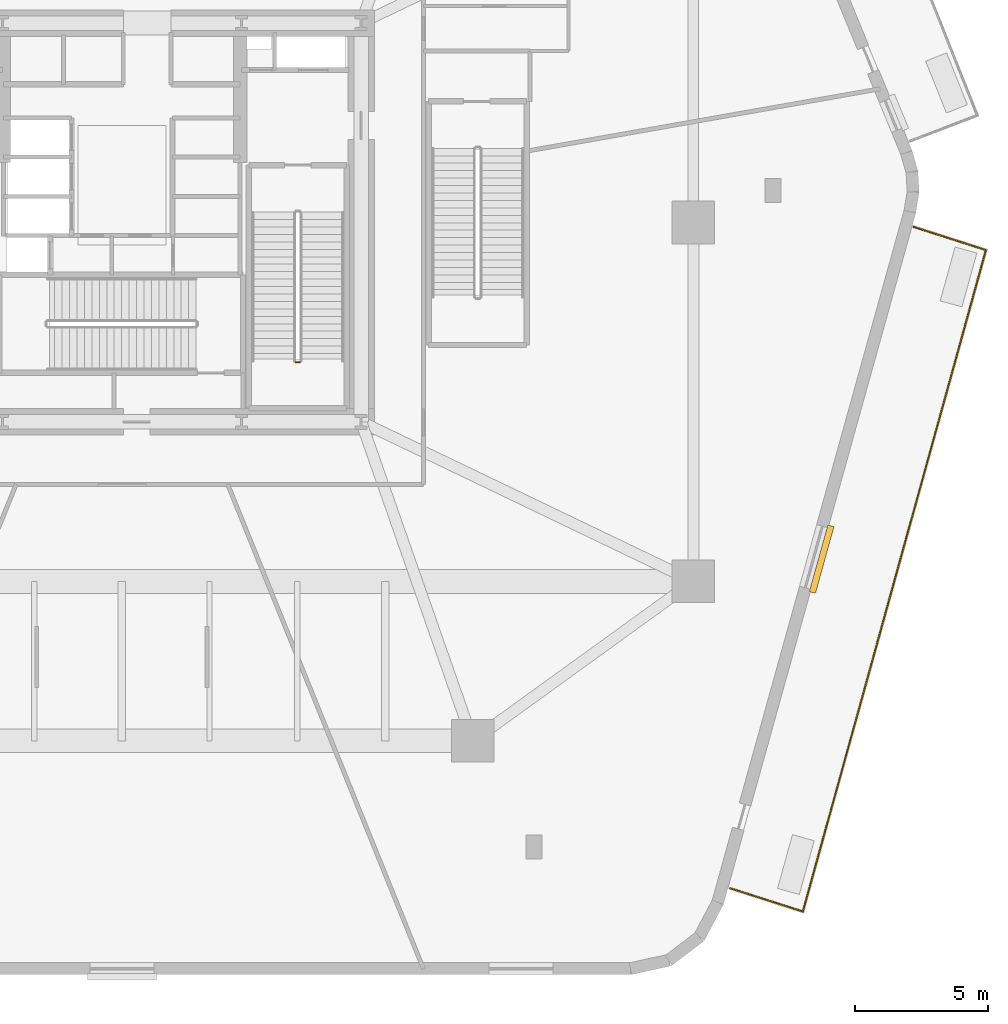
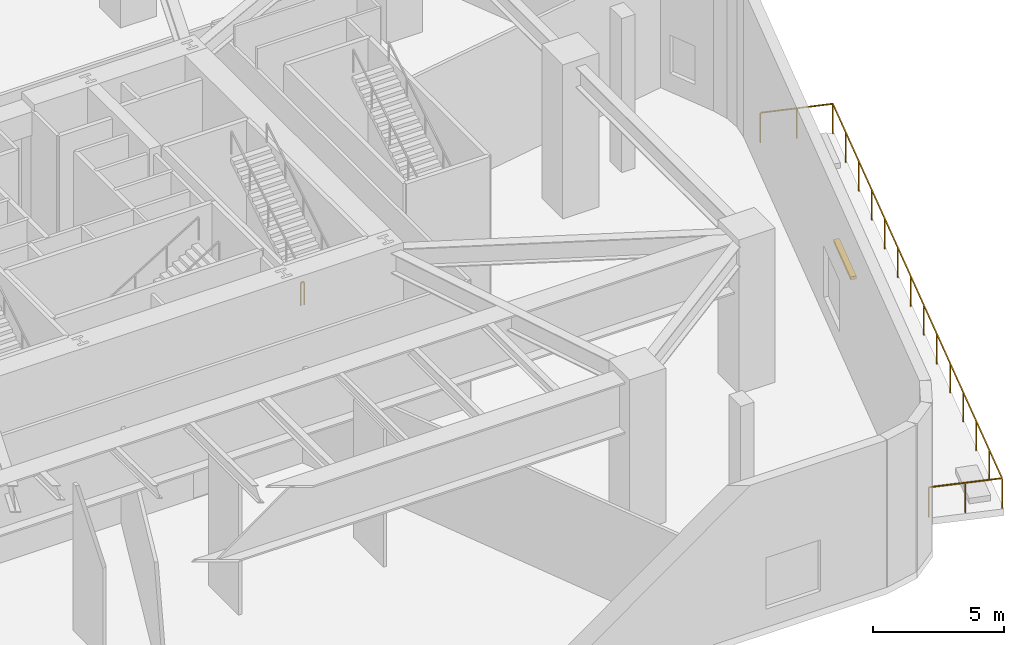
# One storey, part 15 of 17: 2 railings, 1 shading device.
"""IFC4 building model written with IfcOpenShell, lengths in metres."""

from ifc_helpers import new_model, si_unit, direction, frame, origin, origin_2d, place, context, subcontext, project, spatial, rectangle, extrude, material, layer, layer_set, type_object, element, save


model = new_model("IFC4")

# Units and contexts
model_context = context("Model", 3, precision=1e-05, world=origin(), true_north=direction((0.0, 1.0)))
body_context = subcontext(model_context, "Body", "Model", "MODEL_VIEW")
ifc_project = project(units=[si_unit("LENGTHUNIT", "METRE"), si_unit("AREAUNIT", "SQUARE_METRE"), si_unit("VOLUMEUNIT", "CUBIC_METRE"), si_unit("PLANEANGLEUNIT", "RADIAN"), si_unit("MASSUNIT", "GRAM", prefix="KILO")], contexts=[model_context])

# Site, building, storey
site_placement = place(None, origin())
site = spatial("IfcSite", under=ifc_project, at=site_placement, CompositionType="ELEMENT")
building_placement = place(site_placement, origin())
building = spatial("IfcBuilding", under=site, at=building_placement, Name="Kilnhurst Terrace Hotel", CompositionType="ELEMENT")
storey_placement = place(building_placement, frame((0.0, 0.0, 11.39990234375)))
storey = spatial("IfcBuildingStorey", under=building, at=storey_placement, Name="L02", CompositionType="ELEMENT", Elevation=11.39990234375)

# Railings
ifc_material_1 = material(Name="Laminated SentryGlas and Stainless Steel AISI 316L Balustrade", Category="steel")
ifc_layer_1 = layer(ifc_material_1, 0.070068359375, Name="Laminated SentryGlas and Stainless Steel AISI 316L Balustrade")
ifc_layer_set_1 = layer_set([ifc_layer_1], Name="Laminated SentryGlas and Stainless Steel AISI 316L Balustrade")
railing_type_1 = type_object("IfcRailingType", Name="RLG-BAL-1420", PredefinedType="BALUSTRADE", material=ifc_layer_set_1)
railing_1_placement = place(storey_placement, frame((29.802490234375, -0.170654296875, 0.0)))
element("IfcRailing", 1, at=railing_1_placement, inside=storey, type_object=railing_type_1, Name="L02 Exterior Terrace Guardrail TERR-1.1", PredefinedType="BALUSTRADE", context=body_context, shape_type="SweptSolid", body=[
    extrude(rectangle(XDim=0.048095703125, YDim=0.048095703125, at=origin_2d()), frame((0.0, 0.0, 1.39599609375), z_axis=(0.952016929316, -0.306045366402, 0.0), x_axis=(0.306045366402, 0.952016929316, 0.0)), (0.0, 0.0, 1.0), 2.839111328125),
    extrude(rectangle(XDim=0.048095703125, YDim=0.048095703125, at=origin_2d()), frame((2.702880859375, -0.868896484375, 1.39599609375), z_axis=(-0.266726404052, -0.963772289175, 0.0), x_axis=(0.963772289175, -0.266726404052, 0.0)), (0.0, 0.0, 1.0), 25.8193359375),
    extrude(rectangle(XDim=0.048095703125, YDim=0.048095703125, at=origin_2d()), frame((-4.183837890625, -25.7529296875, 1.39599609375), z_axis=(-0.952052431921, 0.305934906268, 0.0), x_axis=(-0.305934906268, -0.952052431921, 0.0)), (0.0, 0.0, 1.0), 2.872802734375),
    extrude(rectangle(XDim=0.0419921875, YDim=0.0419921875, at=origin_2d()), origin(), (0.0, 0.0, 1.0), 1.371826171875),
    extrude(rectangle(XDim=0.0419921875, YDim=0.0419921875, at=origin_2d()), frame((1.3515625, -0.4345703125, 0.0)), (0.0, 0.0, 1.0), 1.371826171875),
    extrude(rectangle(XDim=0.0419921875, YDim=0.0419921875, at=origin_2d()), frame((2.702880859375, -0.868896484375, 0.0)), (0.0, 0.0, 1.0), 1.371826171875),
    extrude(rectangle(XDim=0.0419921875, YDim=0.0419921875, at=origin_2d()), frame((2.173095703125, -2.782958984375, 0.0)), (0.0, 0.0, 1.0), 1.371826171875),
    extrude(rectangle(XDim=0.0419921875, YDim=0.0419921875, at=origin_2d()), frame((1.643310546875, -4.697265625, 0.0)), (0.0, 0.0, 1.0), 1.371826171875),
    extrude(rectangle(XDim=0.0419921875, YDim=0.0419921875, at=origin_2d()), frame((1.113525390625, -6.611328125, 0.0)), (0.0, 0.0, 1.0), 1.371826171875),
    extrude(rectangle(XDim=0.0419921875, YDim=0.0419921875, at=origin_2d()), frame((0.583984375, -8.525634765625, 0.0)), (0.0, 0.0, 1.0), 1.371826171875),
    extrude(rectangle(XDim=0.0419921875, YDim=0.0419921875, at=origin_2d()), frame((0.05419921875, -10.439697265625, 0.0)), (0.0, 0.0, 1.0), 1.371826171875),
    extrude(rectangle(XDim=0.0419921875, YDim=0.0419921875, at=origin_2d()), frame((-0.4755859375, -12.353759765625, 0.0)), (0.0, 0.0, 1.0), 1.371826171875),
    extrude(rectangle(XDim=0.0419921875, YDim=0.0419921875, at=origin_2d()), frame((-1.00537109375, -14.26806640625, 0.0)), (0.0, 0.0, 1.0), 1.371826171875),
    extrude(rectangle(XDim=0.0419921875, YDim=0.0419921875, at=origin_2d()), frame((-1.53515625, -16.18212890625, 0.0)), (0.0, 0.0, 1.0), 1.371826171875),
    extrude(rectangle(XDim=0.0419921875, YDim=0.0419921875, at=origin_2d()), frame((-2.06494140625, -18.09619140625, 0.0)), (0.0, 0.0, 1.0), 1.371826171875),
    extrude(rectangle(XDim=0.0419921875, YDim=0.0419921875, at=origin_2d()), frame((-2.594482421875, -20.010498046875, 0.0)), (0.0, 0.0, 1.0), 1.371826171875),
    extrude(rectangle(XDim=0.0419921875, YDim=0.0419921875, at=origin_2d()), frame((-3.124267578125, -21.924560546875, 0.0)), (0.0, 0.0, 1.0), 1.371826171875),
    extrude(rectangle(XDim=0.0419921875, YDim=0.0419921875, at=origin_2d()), frame((-3.654052734375, -23.8388671875, 0.0)), (0.0, 0.0, 1.0), 1.371826171875),
    extrude(rectangle(XDim=0.0419921875, YDim=0.0419921875, at=origin_2d()), frame((-4.183837890625, -25.7529296875, 0.0)), (0.0, 0.0, 1.0), 1.371826171875),
    extrude(rectangle(XDim=0.0419921875, YDim=0.0419921875, at=origin_2d()), frame((-5.55126953125, -25.3134765625, 0.0)), (0.0, 0.0, 1.0), 1.371826171875),
    extrude(rectangle(XDim=0.0419921875, YDim=0.0419921875, at=origin_2d()), frame((-6.9189453125, -24.8740234375, 0.0)), (0.0, 0.0, 1.0), 1.371826171875),
])
ifc_material_2 = material(Name="Powder-Coated Steel ASTM A500 Grade B", Category="steel")
ifc_layer_2 = layer(ifc_material_2, 0.050048828125, Name="Powder-Coated Steel ASTM A500 Grade B")
ifc_layer_set_2 = layer_set([ifc_layer_2], Name="Powder-Coated Steel ASTM A500 Grade B")
railing_type_2 = type_object("IfcRailingType", Name="RLG-ST-GRD-1100", PredefinedType="GUARDRAIL", material=ifc_layer_set_2)
railing_2_placement = place(storey_placement, frame((6.5400390625, -5.260009765625, 3.60009765625)))
element("IfcRailing", 2, at=railing_2_placement, inside=storey, type_object=railing_type_2, Name="L02 ST-2 stair guard 2", PredefinedType="GUARDRAIL", context=body_context, shape_type="SweptSolid", body=[
    extrude(rectangle(XDim=0.048095703125, YDim=0.048095703125, at=origin_2d()), frame((0.0, 0.0, 1.076171875), z_axis=(1.0, 0.0, 0.0), x_axis=(0.0, 1.0, 0.0)), (0.0, 0.0, 1.0), 0.14990234375),
    extrude(rectangle(XDim=0.0419921875, YDim=0.0419921875, at=origin_2d()), origin(), (0.0, 0.0, 1.0), 1.052001953125),
    extrude(rectangle(XDim=0.0419921875, YDim=0.0419921875, at=origin_2d()), frame((0.14990234375, 0.0, 0.0)), (0.0, 0.0, 1.0), 1.052001953125),
])

# Shading device
ifc_material_3 = material(Name="Terracotta Baguette Sunshade on Aluminium Alloy 6063-T6", Category="masonry")
ifc_layer_3 = layer(ifc_material_3, 0.199951171875, Name="Terracotta Baguette Sunshade on Aluminium Alloy 6063-T6")
ifc_layer_set_3 = layer_set([ifc_layer_3], Name="Terracotta Baguette Sunshade on Aluminium Alloy 6063-T6")
shading_device_type = type_object("IfcShadingDeviceType", Name="SHD-SUN-200", PredefinedType="JALOUSIE", material=ifc_layer_set_3)
shading_device_placement = place(storey_placement, frame((26.326904296875, -12.666015625, 3.2802734375), z_axis=(0.0, 0.0, 1.0), x_axis=(0.267995127166, 0.963420267493, 0.0)))
element("IfcShadingDevice", 3, at=shading_device_placement, inside=storey, type_object=shading_device_type, Name="L02 Terracotta Window Sunshade F2.1", PredefinedType="JALOUSIE", context=body_context, shape_type="SweptSolid", body=[
    extrude(rectangle(XDim=2.60009765625, YDim=0.239990234375, at=origin_2d()), origin(), (0.0, 0.0, 1.0), 0.139892578125),
])

save(model, "model.ifc")
